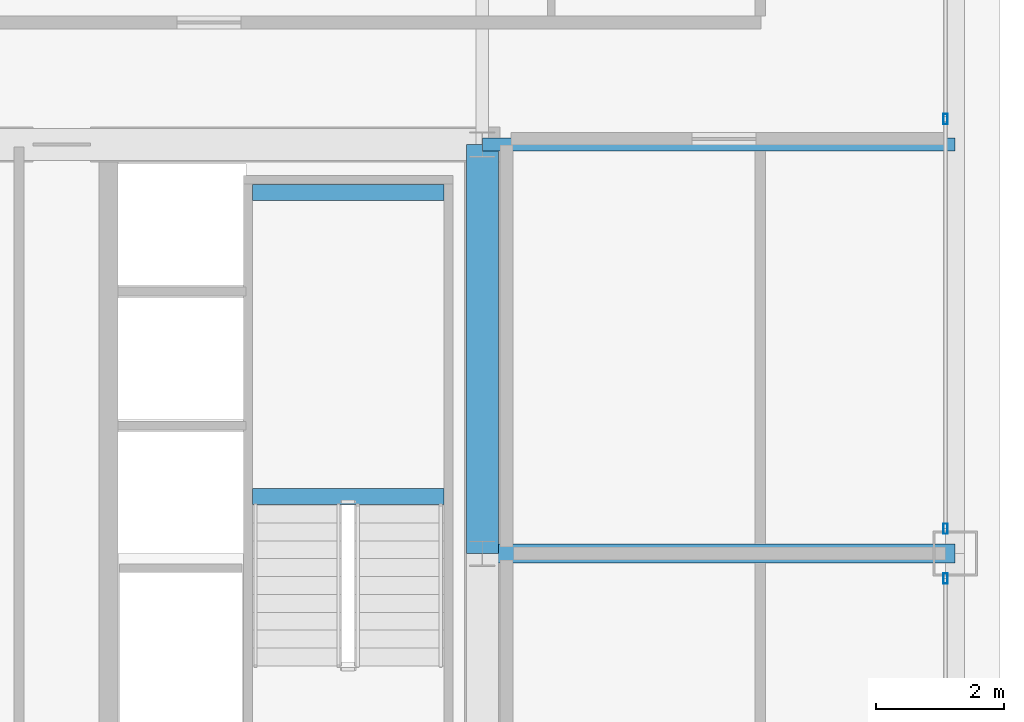
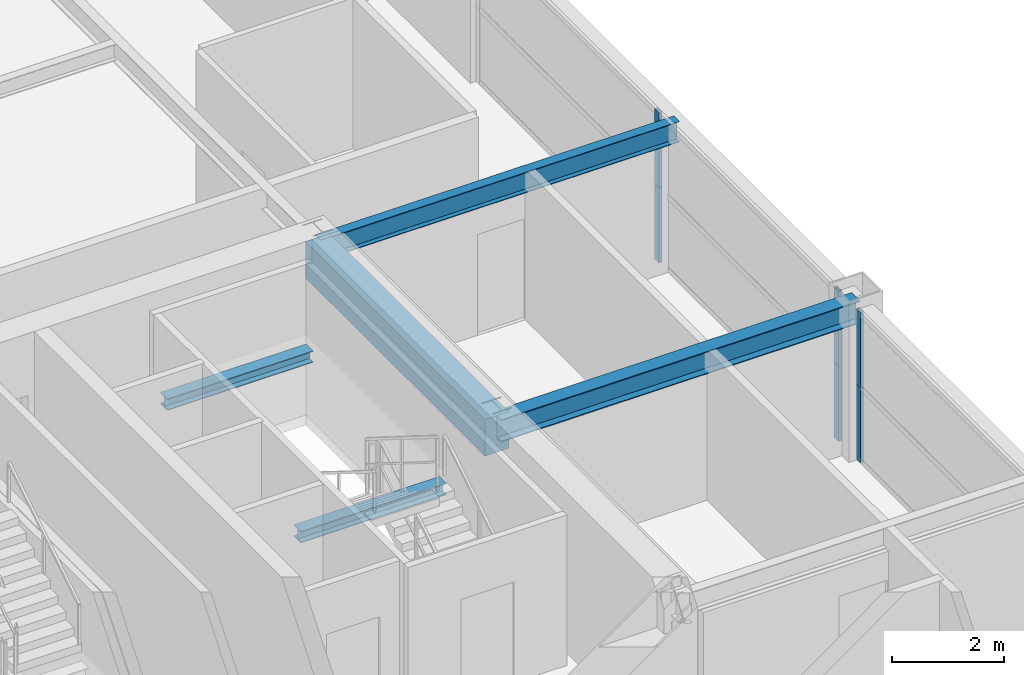
# One storey, part 19 of 35: 6 members, 5 beams, 2 elements without a shape of their own.
"""IFC4 building model written with IfcOpenShell, lengths in metres."""

from ifc_helpers import new_model, si_unit, direction, frame, origin, origin_2d, place, context, subcontext, project, spatial, rectangle, hollow_rectangle, i_section, extrude, source, transform, mapped, material, layer, layer_set, material_profile, profile_set, type_object, element, aggregate, save


model = new_model("IFC4")

# Units and contexts
model_context = context("Model", 3, precision=1e-05, world=origin(), true_north=direction((0.0, 1.0)))
body_context = subcontext(model_context, "Body", "Model", "MODEL_VIEW")
ifc_project = project(units=[si_unit("LENGTHUNIT", "METRE"), si_unit("AREAUNIT", "SQUARE_METRE"), si_unit("VOLUMEUNIT", "CUBIC_METRE"), si_unit("PLANEANGLEUNIT", "RADIAN"), si_unit("MASSUNIT", "GRAM", prefix="KILO"), si_unit("THERMODYNAMICTEMPERATUREUNIT", "KELVIN"), si_unit("POWERUNIT", "WATT")], contexts=[model_context])

# Site, building, storey
site_placement = place(None, origin())
site = spatial("IfcSite", under=ifc_project, at=site_placement, CompositionType="ELEMENT")
building_placement = place(site_placement, origin())
building = spatial("IfcBuilding", under=site, at=building_placement, Name="Yuzanri Waterfront Tower", CompositionType="ELEMENT")
storey_placement = place(building_placement, frame((0.0, 0.0, 227.60009765625)))
storey = spatial("IfcBuildingStorey", under=building, at=storey_placement, Name="L60", CompositionType="ELEMENT", Elevation=227.60009765625)

# Beams
ifc_material_1 = material(Name="Concrete C50", Category="concrete")
ifc_material_profile_1 = material_profile(ifc_material_1, rectangle(XDim=0.5, YDim=0.800048828125, at=origin_2d()), Name="RC 500x800")
ifc_profile_set_1 = profile_set([ifc_material_profile_1], Name="Concrete C50")
beam_type_1 = type_object("IfcBeamType", Name="Core Coupling Lintel Concrete C50 500x800", PredefinedType="LINTEL", material=ifc_profile_set_1)
shared_shape_1 = source(origin(), body_context, "Body", "SweptSolid", [
    extrude(rectangle(XDim=0.5, YDim=0.800048828125, at=origin_2d()), origin(), (0.0, 0.0, 1.0), 6.39990234375),
])
beam_1_placement = place(storey_placement, frame((50.199951171875, 25.800048828125, 2.8798828125), z_axis=(0.0, 1.0, 0.0), x_axis=(-1.0, 0.0, 0.0)))
element("IfcBeam", 1, at=beam_1_placement, inside=storey, type_object=beam_type_1, Name="L60 Core Tie Beam CE2", PredefinedType="LINTEL", context=body_context, shape_type="MappedRepresentation", body=[
    mapped(shared_shape_1, transform((0.0, 0.0, 0.0), scale=1.0)),
])
ifc_material_2 = material(Name="Steel Q355B", Category="steel")
ifc_material_profile_2 = material_profile(ifc_material_2, i_section(OverallWidth=0.300048828125, OverallDepth=0.488037109375, WebThickness=0.010986328125, FlangeThickness=0.01806640625, at=origin_2d()), Name="HM 488x300x11x18")
ifc_profile_set_2 = profile_set([ifc_material_profile_2], Name="Steel Q355B")
beam_type_2 = type_object("IfcBeamType", Name="Primary Floor Girder Q355B HM 488x300", PredefinedType="BEAM", material=ifc_profile_set_2)
shared_shape_2 = source(origin(), body_context, "Body", "SweptSolid", [
    extrude(i_section(OverallWidth=0.300048828125, OverallDepth=0.488037109375, WebThickness=0.010986328125, FlangeThickness=0.01806640625, at=origin_2d()), origin(), (0.0, 0.0, 1.0), 7.400146484375),
])
beam_2_placement = place(storey_placement, frame((50.199951171875, 25.800048828125, 3.035888671875), z_axis=(1.0, 0.0, 0.0), x_axis=(0.0, 1.0, 0.0)))
element("IfcBeam", 2, at=beam_2_placement, inside=storey, type_object=beam_type_2, Name="L60 East Grid Girder", PredefinedType="BEAM", context=body_context, shape_type="MappedRepresentation", body=[
    mapped(shared_shape_2, transform((0.0, 0.0, 0.0), scale=1.0)),
])
ifc_material_3 = material(Name="Steel Q355B", Category="steel")
ifc_material_profile_3 = material_profile(ifc_material_3, i_section(OverallWidth=0.199951171875, OverallDepth=0.449951171875, WebThickness=0.009033203125, FlangeThickness=0.013916015625, at=origin_2d()), Name="HN 450x200x9x14")
ifc_profile_set_3 = profile_set([ifc_material_profile_3], Name="Steel Q355B")
beam_type_3 = type_object("IfcBeamType", Name="Secondary Floor Beam Q355B HN 450x200", PredefinedType="BEAM", material=ifc_profile_set_3)
shared_shape_3 = source(origin(), body_context, "Body", "SweptSolid", [
    extrude(i_section(OverallWidth=0.199951171875, OverallDepth=0.449951171875, WebThickness=0.009033203125, FlangeThickness=0.013916015625, at=origin_2d()), origin(), (0.0, 0.0, 1.0), 7.400146484375),
])
beam_3_placement = place(storey_placement, frame((50.199951171875, 32.199951171875, 3.054931640625), z_axis=(1.0, 0.0, 0.0), x_axis=(0.0, 1.0, 0.0)))
element("IfcBeam", 3, at=beam_3_placement, inside=storey, type_object=beam_type_3, Name="L60 East-North Core Line Beam", PredefinedType="BEAM", context=body_context, shape_type="MappedRepresentation", body=[
    mapped(shared_shape_3, transform((0.0, 0.0, 0.0), scale=1.0)),
])

# Curtain wall, members
ifc_material_4 = material(Name="Anodized Architectural Bronze", Category="metal")
ifc_layer = layer(ifc_material_4, 0.159912109375)
ifc_layer_set = layer_set([ifc_layer], Name="Anodized Architectural Bronze")
curtain_wall_type = type_object("IfcCurtainWallType", Name="Anodized Bronze Mid-Rise Residential Acoustic Unitized Curtain Wall 7200", PredefinedType="NOTDEFINED", material=ifc_layer_set)
curtain_wall_1_placement = place(storey_placement, origin())
curtain_wall_1 = element("IfcCurtainWall", 4, at=curtain_wall_1_placement, inside=storey, type_object=curtain_wall_type, Name="L60 Curtain Wall CW-L60-EL", PredefinedType="NOTDEFINED")
ifc_material_5 = material(Name="Anodized Architectural Bronze", Category="metal")
ifc_material_profile_4 = material_profile(ifc_material_5, hollow_rectangle(XDim=0.06494140625, YDim=0.159912109375, WallThickness=0.00341796875, at=origin_2d()), Name="CWM 65x160")
ifc_profile_set_4 = profile_set([ifc_material_profile_4], Name="Anodized Architectural Bronze")
member_type = type_object("IfcMemberType", Name="Anodized Bronze Upper-Zone Curtain-Wall Mullion 65x160", PredefinedType="MULLION", material=ifc_profile_set_4)
shared_shape_4 = source(origin(), body_context, "Body", "SweptSolid", [
    extrude(hollow_rectangle(XDim=0.06494140625, YDim=0.159912109375, WallThickness=0.00341796875, at=origin_2d()), origin(), (0.0, 0.0, 1.0), 1.637939453125),
])
member_1_placement = place(storey_placement, frame((57.449951171875, 25.409912109375, 0.0), z_axis=(0.0, 0.0, 1.0), x_axis=(1.0, 0.0, 0.0)))
member_1 = element("IfcMember", 5, at=member_1_placement, type_object=member_type, Name="CW-L60-EL Lower Mullion 02", PredefinedType="MULLION", context=body_context, shape_type="MappedRepresentation", body=[
    mapped(shared_shape_4, transform((0.0, 0.0, 0.0), scale=1.0)),
])
member_2_placement = place(storey_placement, frame((57.449951171875, 25.409912109375, 1.641845703125), z_axis=(0.0, 0.0, 1.0), x_axis=(1.0, 0.0, 0.0)))
member_2 = element("IfcMember", 6, at=member_2_placement, type_object=member_type, Name="CW-L60-EL Upper Mullion 02", PredefinedType="MULLION", context=body_context, shape_type="MappedRepresentation", body=[
    mapped(shared_shape_4, transform((0.0, 0.0, 0.0), scale=1.0)),
])
aggregate(curtain_wall_1, [member_1, member_2])

curtain_wall_2_placement = place(storey_placement, origin())
curtain_wall_2 = element("IfcCurtainWall", 7, at=curtain_wall_2_placement, inside=storey, type_object=curtain_wall_type, Name="L60 Curtain Wall CW-L60-ER", PredefinedType="NOTDEFINED")
member_3_placement = place(storey_placement, frame((57.449951171875, 26.18994140625, 0.0), z_axis=(0.0, 0.0, 1.0), x_axis=(1.0, 0.0, 0.0)))
member_3 = element("IfcMember", 8, at=member_3_placement, type_object=member_type, Name="CW-L60-ER Lower Mullion 00", PredefinedType="MULLION", context=body_context, shape_type="MappedRepresentation", body=[
    mapped(shared_shape_4, transform((0.0, 0.0, 0.0), scale=1.0)),
])
member_4_placement = place(storey_placement, frame((57.449951171875, 26.18994140625, 1.641845703125), z_axis=(0.0, 0.0, 1.0), x_axis=(1.0, 0.0, 0.0)))
member_4 = element("IfcMember", 9, at=member_4_placement, type_object=member_type, Name="CW-L60-ER Upper Mullion 00", PredefinedType="MULLION", context=body_context, shape_type="MappedRepresentation", body=[
    mapped(shared_shape_4, transform((0.0, 0.0, 0.0), scale=1.0)),
])
member_5_placement = place(storey_placement, frame((57.449951171875, 32.60009765625, 0.0), z_axis=(0.0, 0.0, 1.0), x_axis=(1.0, 0.0, 0.0)))
member_5 = element("IfcMember", 10, at=member_5_placement, type_object=member_type, Name="CW-L60-ER Lower Mullion 01", PredefinedType="MULLION", context=body_context, shape_type="MappedRepresentation", body=[
    mapped(shared_shape_4, transform((0.0, 0.0, 0.0), scale=1.0)),
])
member_6_placement = place(storey_placement, frame((57.449951171875, 32.60009765625, 1.641845703125), z_axis=(0.0, 0.0, 1.0), x_axis=(1.0, 0.0, 0.0)))
member_6 = element("IfcMember", 11, at=member_6_placement, type_object=member_type, Name="CW-L60-ER Upper Mullion 01", PredefinedType="MULLION", context=body_context, shape_type="MappedRepresentation", body=[
    mapped(shared_shape_4, transform((0.0, 0.0, 0.0), scale=1.0)),
])
aggregate(curtain_wall_2, [member_3, member_4, member_5, member_6])

# Beams
ifc_material_6 = material(Name="Steel Q355B", Category="steel")
ifc_material_profile_5 = material_profile(ifc_material_6, i_section(OverallWidth=0.25, OverallDepth=0.25, WebThickness=0.009033203125, FlangeThickness=0.013916015625, at=origin_2d()), Name="HW 250x250x9x14")
ifc_profile_set_5 = profile_set([ifc_material_profile_5], Name="Steel Q355B")
beam_type_4 = type_object("IfcBeamType", Name="Stair Landing Support Beam Q355B HW 250x250", PredefinedType="BEAM", material=ifc_profile_set_5)
shared_shape_5 = source(origin(), body_context, "Body", "SweptSolid", [
    extrude(i_section(OverallWidth=0.25, OverallDepth=0.25, WebThickness=0.009033203125, FlangeThickness=0.013916015625, at=origin_2d()), origin(), (0.0, 0.0, 1.0), 3.0),
])
for number, where, z_axis, x_axis, name in (
    (12, (46.60009765625, 26.68994140625, 1.4248046875), (1.0, 0.0, 0.0), (0.0, 1.0, 0.0), "L60 Stair Landing Support Beam ST-02-L60-L1-1"),
    (13, (46.60009765625, 31.449951171875, 1.4248046875), (1.0, 0.0, 0.0), (0.0, 1.0, 0.0), "L60 Stair Landing Support Beam ST-02-L60-L1-2"),
):
    element("IfcBeam", number, at=place(storey_placement, frame(where, z_axis=z_axis, x_axis=x_axis)), inside=storey, type_object=beam_type_4, Name=name, PredefinedType="BEAM", context=body_context, shape_type="MappedRepresentation", body=[
        mapped(shared_shape_5, transform((0.0, 0.0, 0.0), scale=1.0)),
    ])

save(model, "model.ifc")
